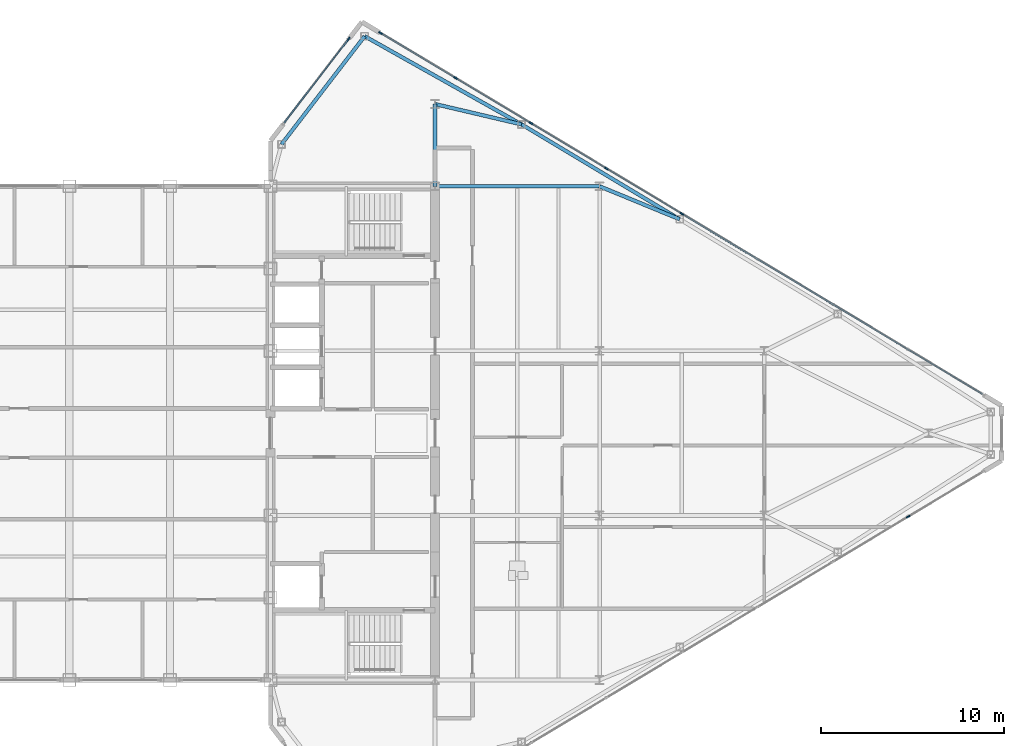
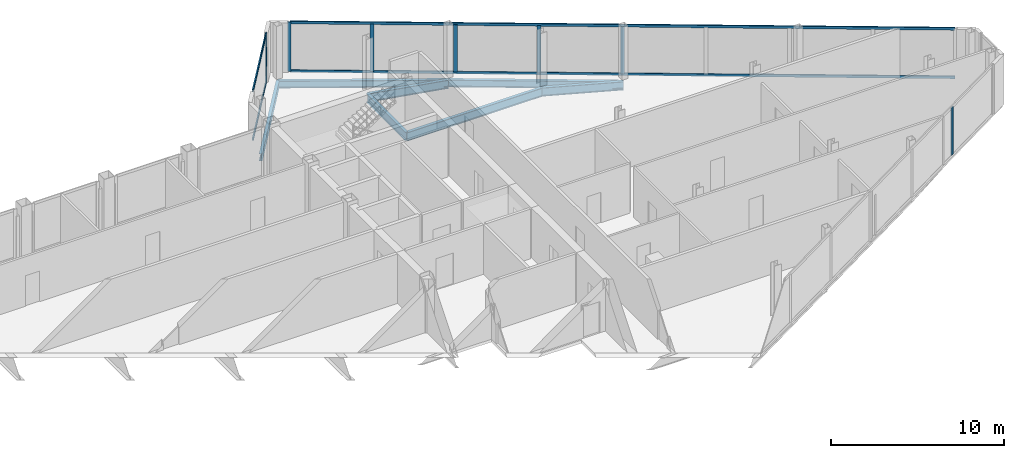
# One storey, part 17 of 28: 11 members, 7 beams, 3 elements without a shape of their own.
"""IFC4 building model written with IfcOpenShell, lengths in metres."""

from ifc_helpers import new_model, si_unit, direction, frame, origin, origin_2d, place, context, subcontext, project, spatial, rectangle, i_section, extrude, source, transform, mapped, material, layer, layer_set, material_profile, profile_set, type_object, type_shapes, element, aggregate, save


model = new_model("IFC4")

# Units and contexts
model_context = context("Model", 3, precision=1e-05, world=origin(), true_north=direction((0.0, 1.0)))
body_context = subcontext(model_context, "Body", "Model", "MODEL_VIEW")
ifc_project = project(units=[si_unit("LENGTHUNIT", "METRE"), si_unit("AREAUNIT", "SQUARE_METRE"), si_unit("VOLUMEUNIT", "CUBIC_METRE"), si_unit("PLANEANGLEUNIT", "RADIAN"), si_unit("MASSUNIT", "GRAM", prefix="KILO")], contexts=[model_context])

# Site, building, storey
site_placement = place(None, origin())
site = spatial("IfcSite", under=ifc_project, at=site_placement, CompositionType="ELEMENT")
building_placement = place(site_placement, origin())
building = spatial("IfcBuilding", under=site, at=building_placement, Name="Seokmaru Belvedere", CompositionType="ELEMENT")
storey_placement = place(building_placement, frame((0.0, 0.0, 265.64990234375)))
storey = spatial("IfcBuildingStorey", under=building, at=storey_placement, Name="L70", CompositionType="ELEMENT", Elevation=265.64990234375)

# Beams
ifc_material_1 = material(Name="Steel SM355 (355 MPa)", Category="steel")
ifc_material_profile_1 = material_profile(ifc_material_1, i_section(OverallWidth=0.199951171875, OverallDepth=0.60009765625, WebThickness=0.010986328125, FlangeThickness=0.01708984375, at=origin_2d()), Name="H-600x200x11x17")
ifc_profile_set_1 = profile_set([ifc_material_profile_1], Name="Steel SM355 (355 MPa)")
beam_type_1 = type_object("IfcBeamType", Name="Primary Floor Girder H-600", PredefinedType="BEAM", material=ifc_profile_set_1)
shared_shape_1 = source(origin(), body_context, "Body", "SweptSolid", [
    extrude(i_section(OverallWidth=0.199951171875, OverallDepth=0.60009765625, WebThickness=0.010986328125, FlangeThickness=0.01708984375, at=origin_2d()), origin(), (0.0, 0.0, 1.0), 9.0),
])
beam_1_placement = place(storey_placement, frame((36.5, 13.5, -0.52001953125), z_axis=(1.0, 0.0, 0.0), x_axis=(0.0, 1.0, 0.0)))
element("IfcBeam", 1, at=beam_1_placement, inside=storey, type_object=beam_type_1, Name="L70 E Wing Primary Girder 4", PredefinedType="BEAM", context=body_context, shape_type="MappedRepresentation", body=[
    mapped(shared_shape_1, transform((0.0, 0.0, 0.0), scale=1.0)),
])
shared_shape_2 = source(origin(), body_context, "Body", "SweptSolid", [
    extrude(i_section(OverallWidth=0.199951171875, OverallDepth=0.60009765625, WebThickness=0.010986328125, FlangeThickness=0.01708984375, at=origin_2d()), origin(), (0.0, 0.0, 1.0), 4.5),
])
beam_2_placement = place(storey_placement, frame((36.5, 13.5, -0.52001953125), z_axis=(0.0, 1.0, 0.0), x_axis=(-1.0, 0.0, 0.0)))
element("IfcBeam", 2, at=beam_2_placement, inside=storey, type_object=beam_type_1, Name="L70 E Core Shoulder Girder N", PredefinedType="BEAM", context=body_context, shape_type="MappedRepresentation", body=[
    mapped(shared_shape_2, transform((0.0, 0.0, 0.0), scale=1.0)),
])
ifc_material_profile_2 = material_profile(ifc_material_1, i_section(OverallWidth=0.199951171875, OverallDepth=0.5, WebThickness=0.010009765625, FlangeThickness=0.01611328125, at=origin_2d()), Name="H-500x200x10x16")
ifc_profile_set_2 = profile_set([ifc_material_profile_2], Name="Steel SM355 (355 MPa)")
beam_type_2 = type_object("IfcBeamType", Name="Perimeter Spandrel Beam H-500", PredefinedType="SPANDREL", material=ifc_profile_set_2)
shared_shape_3 = source(origin(), body_context, "Body", "SweptSolid", [
    extrude(i_section(OverallWidth=0.199951171875, OverallDepth=0.5, WebThickness=0.010009765625, FlangeThickness=0.01611328125, at=origin_2d()), origin(), (0.0, 0.0, 1.0), 9.842041015625),
])
beam_3_placement = place(storey_placement, frame((32.649658203125, 21.71044921875, -0.469970703125), z_axis=(0.871782151818, -0.489893743349, 0.0), x_axis=(0.489893743349, 0.871782151818, 0.0)))
element("IfcBeam", 3, at=beam_3_placement, inside=storey, type_object=beam_type_2, Name="L70 E Faceted Flank Spandrel N-1", PredefinedType="SPANDREL", context=body_context, shape_type="MappedRepresentation", body=[
    mapped(shared_shape_3, transform((0.0, 0.0, 0.0), scale=1.0)),
])
shared_shape_4 = source(origin(), body_context, "Body", "SweptSolid", [
    extrude(i_section(OverallWidth=0.199951171875, OverallDepth=0.5, WebThickness=0.010009765625, FlangeThickness=0.01611328125, at=origin_2d()), origin(), (0.0, 0.0, 1.0), 10.087646484375),
])
beam_4_placement = place(storey_placement, frame((41.229736328125, 16.888916015625, -0.469970703125), z_axis=(0.857499332045, -0.514485078056, 0.0), x_axis=(0.514485078056, 0.857499332045, 0.0)))
element("IfcBeam", 4, at=beam_4_placement, inside=storey, type_object=beam_type_2, Name="L70 E Faceted Flank Spandrel N-2", PredefinedType="SPANDREL", context=body_context, shape_type="MappedRepresentation", body=[
    mapped(shared_shape_4, transform((0.0, 0.0, 0.0), scale=1.0)),
])
shared_shape_5 = source(origin(), body_context, "Body", "SweptSolid", [
    extrude(i_section(OverallWidth=0.199951171875, OverallDepth=0.5, WebThickness=0.010009765625, FlangeThickness=0.01611328125, at=origin_2d()), origin(), (0.0, 0.0, 1.0), 7.4619140625),
])
type_shapes(beam_type_2, [shared_shape_3, shared_shape_4, shared_shape_5])
beam_5_placement = place(storey_placement, frame((32.649658203125, 21.71044921875, -0.469970703125), z_axis=(-0.609702854945, -0.792630070507, 0.0), x_axis=(0.792630070507, -0.609702854945, 0.0)))
element("IfcBeam", 5, at=beam_5_placement, inside=storey, type_object=beam_type_2, Name="L70 E Shoulder Chamfer Spandrel N", PredefinedType="SPANDREL", context=body_context, shape_type="MappedRepresentation", body=[
    mapped(shared_shape_5, transform((0.0, 0.0, 0.0), scale=1.0)),
])
shared_shape_6 = source(origin(), body_context, "Body", "SweptSolid", [
    extrude(i_section(OverallWidth=0.199951171875, OverallDepth=0.60009765625, WebThickness=0.010986328125, FlangeThickness=0.01708984375, at=origin_2d()), origin(), (0.0, 0.0, 1.0), 4.8583984375),
])
beam_6_placement = place(storey_placement, frame((41.229736328125, 16.888916015625, -0.52001953125), z_axis=(-0.97349948295, 0.228689214211, 0.0), x_axis=(-0.228689214211, -0.97349948295, 0.0)))
element("IfcBeam", 6, at=beam_6_placement, inside=storey, type_object=beam_type_1, Name="L70 E Flank Radial Floor Girder N-1", PredefinedType="BEAM", context=body_context, shape_type="MappedRepresentation", body=[
    mapped(shared_shape_6, transform((0.0, 0.0, 0.0), scale=1.0)),
])
shared_shape_7 = source(origin(), body_context, "Body", "SweptSolid", [
    extrude(i_section(OverallWidth=0.199951171875, OverallDepth=0.60009765625, WebThickness=0.010986328125, FlangeThickness=0.01708984375, at=origin_2d()), origin(), (0.0, 0.0, 1.0), 4.73583984375),
])
type_shapes(beam_type_1, [shared_shape_1, shared_shape_2, shared_shape_6, shared_shape_7])
beam_7_placement = place(storey_placement, frame((49.8798828125, 11.698974609375, -0.52001953125), z_axis=(-0.924860562953, 0.380306375301, 0.0), x_axis=(-0.380306375301, -0.924860562953, 0.0)))
element("IfcBeam", 7, at=beam_7_placement, inside=storey, type_object=beam_type_1, Name="L70 E Flank Radial Floor Girder N-2", PredefinedType="BEAM", context=body_context, shape_type="MappedRepresentation", body=[
    mapped(shared_shape_7, transform((0.0, 0.0, 0.0), scale=1.0)),
])

# Curtain wall, members
ifc_material_2 = material(Name="Bronze Triple Insulating Glass", Category="glass")
ifc_layer = layer(ifc_material_2, 0.219970703125)
ifc_layer_set = layer_set([ifc_layer], Name="Bronze Triple Insulating Glass")
curtain_wall_type = type_object("IfcCurtainWallType", Name="Sky-Gate Bridge Panorama Curtain Wall System CW-6", PredefinedType="NOTDEFINED", material=ifc_layer_set)
curtain_wall_1_placement = place(storey_placement, origin())
curtain_wall_1 = element("IfcCurtainWall", 8, at=curtain_wall_1_placement, inside=storey, type_object=curtain_wall_type, Name="L70 Curtain Wall EF4", PredefinedType="NOTDEFINED")
ifc_material_3 = material(Name="Anodised Bronze Aluminium", Category="aluminium")
ifc_material_profile_3 = material_profile(ifc_material_3, rectangle(XDim=0.074951171875, YDim=0.179931640625, at=origin_2d()), Name="CW-T-75x180")
ifc_profile_set_3 = profile_set([ifc_material_profile_3], Name="Anodised Bronze Aluminium")
member_type_1 = type_object("IfcMemberType", Name="Bronze Unitised Transom 75x180", PredefinedType="USERDEFINED", material=ifc_profile_set_3)
shared_shape_8 = source(origin(), body_context, "Body", "SweptSolid", [
    extrude(rectangle(XDim=0.074951171875, YDim=0.179931640625, at=origin_2d()), origin(), (0.0, 0.0, 1.0), 5.74072265625),
])
member_1_placement = place(storey_placement, frame((31.75, 21.525146484375, 0.03759765625), z_axis=(-0.609686097287, -0.792642960465, 0.0), x_axis=(0.792642960465, -0.609686097287, 0.0)))
member_1 = element("IfcMember", 9, at=member_1_placement, type_object=member_type_1, Name="CW:L70:EF4 Continuous Transom 1", ObjectType="TRANSOM", PredefinedType="USERDEFINED", context=body_context, shape_type="MappedRepresentation", body=[
    mapped(shared_shape_8, transform((0.0, 0.0, 0.0), scale=1.0)),
])
member_2_placement = place(storey_placement, frame((31.75, 21.525146484375, 3.45263671875), z_axis=(-0.609686097287, -0.792642960465, 0.0), x_axis=(0.792642960465, -0.609686097287, 0.0)))
member_2 = element("IfcMember", 10, at=member_2_placement, type_object=member_type_1, Name="CW:L70:EF4 Continuous Transom 2", ObjectType="TRANSOM", PredefinedType="USERDEFINED", context=body_context, shape_type="MappedRepresentation", body=[
    mapped(shared_shape_8, transform((0.0, 0.0, 0.0), scale=1.0)),
])

curtain_wall_2_placement = place(storey_placement, origin())
curtain_wall_2 = element("IfcCurtainWall", 11, at=curtain_wall_2_placement, inside=storey, type_object=curtain_wall_type, Name="L70 Curtain Wall EF3", PredefinedType="NOTDEFINED")
shared_shape_9 = source(origin(), body_context, "Body", "SweptSolid", [
    extrude(rectangle(XDim=0.074951171875, YDim=0.179931640625, at=origin_2d()), origin(), (0.0, 0.0, 1.0), 38.356689453125),
])
type_shapes(member_type_1, [shared_shape_8, shared_shape_9])
member_3_placement = place(storey_placement, frame((66.4453125, 2.1328125, 0.03759765625), z_axis=(-0.857492925713, 0.514495755428, 0.0), x_axis=(-0.514495755428, -0.857492925713, 0.0)))
member_3 = element("IfcMember", 12, at=member_3_placement, type_object=member_type_1, Name="CW:L70:EF3 Continuous Transom 1", ObjectType="TRANSOM", PredefinedType="USERDEFINED", context=body_context, shape_type="MappedRepresentation", body=[
    mapped(shared_shape_9, transform((0.0, 0.0, 0.0), scale=1.0)),
])
member_4_placement = place(storey_placement, frame((66.4453125, 2.1328125, 3.45263671875), z_axis=(-0.857492925713, 0.514495755428, 0.0), x_axis=(-0.514495755428, -0.857492925713, 0.0)))
member_4 = element("IfcMember", 13, at=member_4_placement, type_object=member_type_1, Name="CW:L70:EF3 Continuous Transom 2", ObjectType="TRANSOM", PredefinedType="USERDEFINED", context=body_context, shape_type="MappedRepresentation", body=[
    mapped(shared_shape_9, transform((0.0, 0.0, 0.0), scale=1.0)),
])
ifc_material_profile_4 = material_profile(ifc_material_3, rectangle(XDim=0.080078125, YDim=0.219970703125, at=origin_2d()), Name="CW-M-80x220")
ifc_profile_set_4 = profile_set([ifc_material_profile_4], Name="Anodised Bronze Aluminium")
member_type_2 = type_object("IfcMemberType", Name="Bronze Unitised Mullion 80x220", PredefinedType="MULLION", material=ifc_profile_set_4)
shared_shape_10 = source(origin(), body_context, "Body", "SweptSolid", [
    extrude(rectangle(XDim=0.080078125, YDim=0.219970703125, at=origin_2d()), origin(), (0.0, 0.0, 1.0), 3.489990234375),
])
member_5_placement = place(storey_placement, frame((33.5205078125, 21.8876953125, 0.0), z_axis=(0.0, 0.0, 1.0), x_axis=(-0.514494909364, -0.85749343335, 0.0)))
member_5 = element("IfcMember", 14, at=member_5_placement, type_object=member_type_2, Name="CW:L70:EF3 Mullion 9", PredefinedType="MULLION", context=body_context, shape_type="MappedRepresentation", body=[
    mapped(shared_shape_10, transform((0.0, 0.0, 0.0), scale=1.0)),
])

# Member
member_6_placement = place(storey_placement, frame((31.7744140625, 21.556884765625, 0.0), z_axis=(0.0, 0.0, 1.0), x_axis=(0.792631353244, -0.609701187349, 0.0)))
member_6 = element("IfcMember", 15, at=member_6_placement, type_object=member_type_2, Name="CW:L70:EF4 Mullion 1", PredefinedType="MULLION", context=body_context, shape_type="MappedRepresentation", body=[
    mapped(shared_shape_10, transform((0.0, 0.0, 0.0), scale=1.0)),
])

aggregate(curtain_wall_1, [member_6, member_1, member_2])

# Curtain wall, member
curtain_wall_3_placement = place(storey_placement, origin())
curtain_wall_3 = element("IfcCurtainWall", 16, at=curtain_wall_3_placement, inside=storey, type_object=curtain_wall_type, Name="L70 Curtain Wall EF1", PredefinedType="NOTDEFINED")
shared_shape_11 = source(origin(), body_context, "Body", "SweptSolid", [
    extrude(rectangle(XDim=0.080078125, YDim=0.219970703125, at=origin_2d()), origin(), (0.0, 0.0, 1.0), 3.33984375),
])
type_shapes(member_type_2, [shared_shape_10, shared_shape_11])
member_7_placement = place(storey_placement, frame((62.385498046875, -4.56884765625, 0.0751953125), z_axis=(0.0, 0.0, 1.0), x_axis=(-0.514494909364, 0.85749343335, 0.0)))
member_7 = element("IfcMember", 17, at=member_7_placement, type_object=member_type_2, Name="CW:L70:EF1 Mullion 8", PredefinedType="MULLION", context=body_context, shape_type="MappedRepresentation", body=[
    mapped(shared_shape_11, transform((0.0, 0.0, 0.0), scale=1.0)),
])
aggregate(curtain_wall_3, [member_7])

# Member
member_8_placement = place(storey_placement, frame((50.0, 12.0, 0.0751953125), z_axis=(0.0, 0.0, 1.0), x_axis=(-0.514494909364, -0.85749343335, 0.0)))
member_8 = element("IfcMember", 18, at=member_8_placement, type_object=member_type_2, Name="CW:L70:EF3 Mullion 5", PredefinedType="MULLION", context=body_context, shape_type="MappedRepresentation", body=[
    mapped(shared_shape_11, transform((0.0, 0.0, 0.0), scale=1.0)),
])

member_9_placement = place(storey_placement, frame((45.87158203125, 14.47705078125, 0.0751953125), z_axis=(0.0, 0.0, 1.0), x_axis=(-0.514494909364, -0.85749343335, 0.0)))
member_9 = element("IfcMember", 19, at=member_9_placement, type_object=member_type_2, Name="CW:L70:EF3 Mullion 6", PredefinedType="MULLION", context=body_context, shape_type="MappedRepresentation", body=[
    mapped(shared_shape_11, transform((0.0, 0.0, 0.0), scale=1.0)),
])

member_10_placement = place(storey_placement, frame((41.742919921875, 16.9541015625, 0.0751953125), z_axis=(0.0, 0.0, 1.0), x_axis=(-0.514494909364, -0.85749343335, 0.0)))
member_10 = element("IfcMember", 20, at=member_10_placement, type_object=member_type_2, Name="CW:L70:EF3 Mullion 7", PredefinedType="MULLION", context=body_context, shape_type="MappedRepresentation", body=[
    mapped(shared_shape_11, transform((0.0, 0.0, 0.0), scale=1.0)),
])

member_11_placement = place(storey_placement, frame((37.614501953125, 19.43115234375, 0.0751953125), z_axis=(0.0, 0.0, 1.0), x_axis=(-0.514494909364, -0.85749343335, 0.0)))
member_11 = element("IfcMember", 21, at=member_11_placement, type_object=member_type_2, Name="CW:L70:EF3 Mullion 8", PredefinedType="MULLION", context=body_context, shape_type="MappedRepresentation", body=[
    mapped(shared_shape_11, transform((0.0, 0.0, 0.0), scale=1.0)),
])

aggregate(curtain_wall_2, [member_8, member_9, member_10, member_11, member_5, member_3, member_4])

save(model, "model.ifc")
